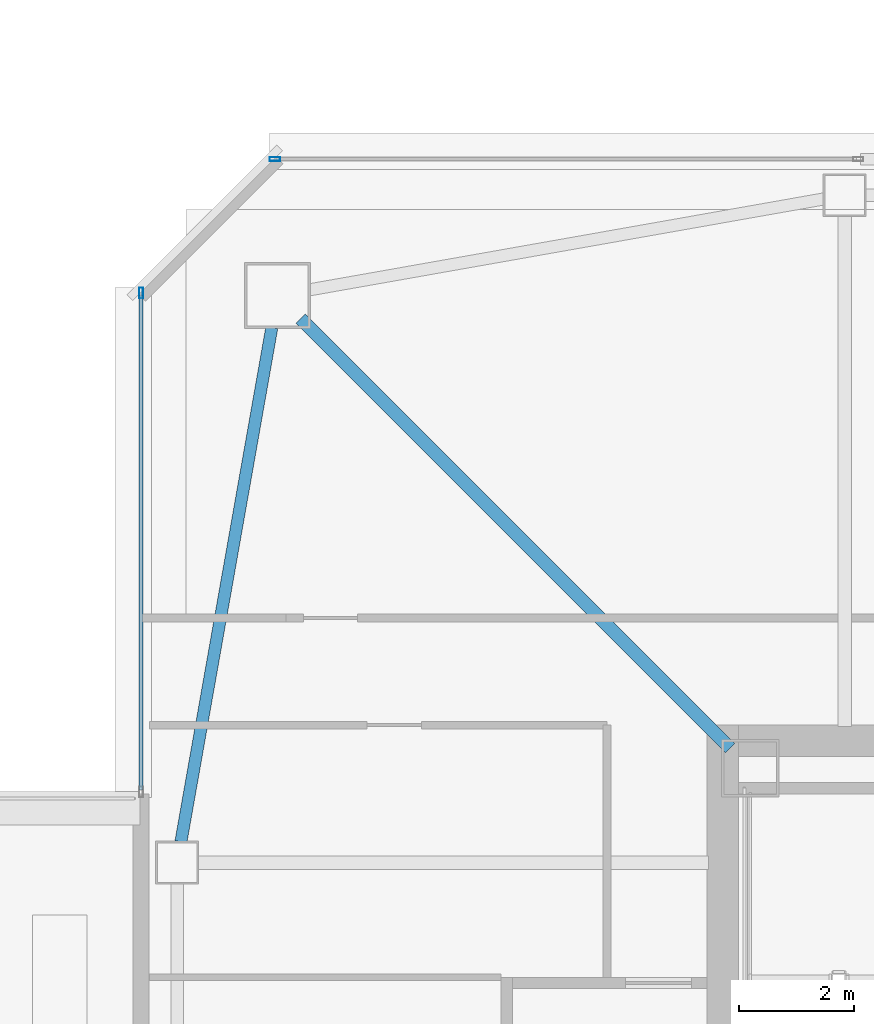
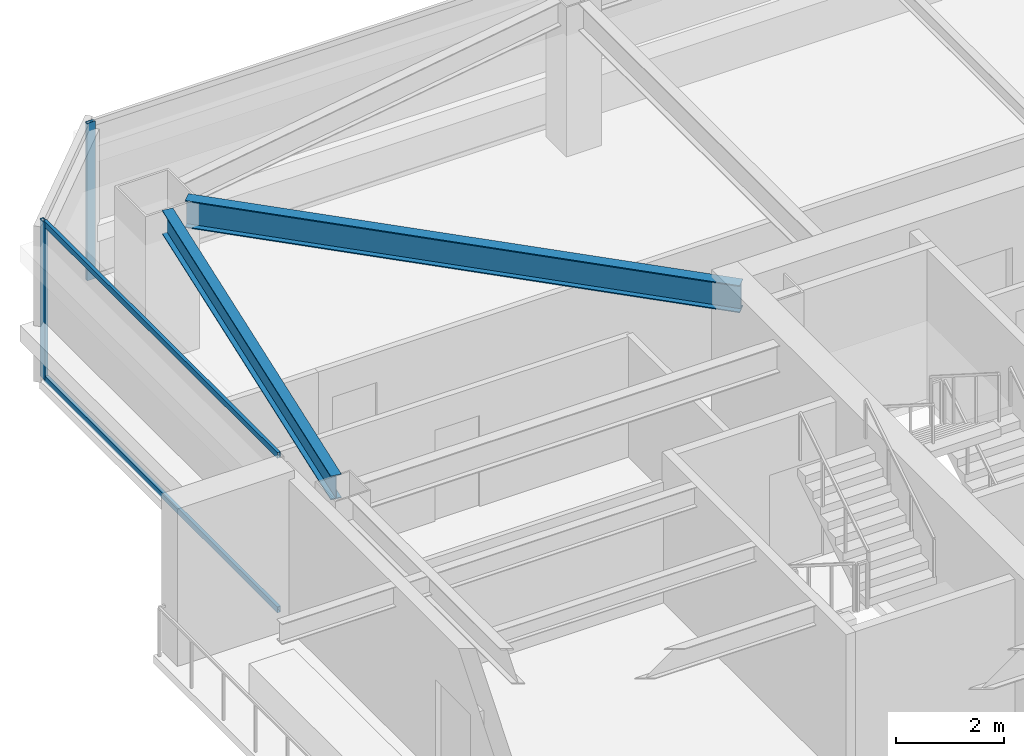
# One storey, part 11 of 41: 4 members, 2 beams, 2 elements without a shape of their own.
"""IFC4 building model written with IfcOpenShell, lengths in metres."""

import ifcopenshell
import ifcopenshell.guid

model = None  # the IFC model being written
_history = None  # IfcOwnerHistory: only IFC2X3 demands one
_inside = {}  # id of a spatial element -> (the spatial element, [elements in it])
_under = {}  # id of a project, library or spatial element -> (it, [spatial elements below it])
_declared = {}  # id of a project -> (the project, [libraries it declares])
_typed = {}  # id of a type object -> (the type object, [elements of that type])
_made_of = {}  # id of a material, layer set ... -> (it, [elements and type objects made of it])


def new_model(schema):
    """Start an empty IFC model of exactly this schema.

    Asked for "IFC4X3", IfcOpenShell would pick the latest addendum, in which some entities
    have other attributes; the version numbers below select the first issue.
    IFC2X3 requires an IfcOwnerHistory on every rooted entity: one is made here for all.
    """
    global model, _history
    if schema == "IFC4X3":
        model = ifcopenshell.file(schema_version=(4, 3, 0, 0))
    else:
        model = ifcopenshell.file(schema=schema)
    _inside.clear()
    _under.clear()
    _declared.clear()
    _typed.clear()
    _made_of.clear()
    _history = None
    if model.schema == "IFC2X3":
        org = make("IfcOrganization", Name="unknown")
        user = make(
            "IfcPersonAndOrganization",
            ThePerson=make("IfcPerson", FamilyName="unknown"),
            TheOrganization=org,
        )
        app = make(
            "IfcApplication",
            ApplicationDeveloper=org,
            Version="unknown",
            ApplicationFullName="unknown",
            ApplicationIdentifier="unknown",
        )
        _history = make(
            "IfcOwnerHistory",
            OwningUser=user,
            OwningApplication=app,
            ChangeAction="ADDED",
            CreationDate=0,
        )
    return model


def make(cls, **values):
    """One entity of the class cls with the attributes given. An attribute that is None is left unset."""
    return model.create_entity(
        cls, **{name: value for name, value in values.items() if value is not None}
    )


def rooted(cls, **values):
    """An entity with a GlobalId (a new one), such as an element, a storey or a relation."""
    return make(cls, GlobalId=ifcopenshell.guid.new(), OwnerHistory=_history, **values)


def si_unit(unit_type, name, prefix=None):
    """IfcSIUnit, for example si_unit("LENGTHUNIT", "METRE", prefix="MILLI")."""
    return make("IfcSIUnit", UnitType=unit_type, Prefix=prefix, Name=name)


def assignment(units):
    """IfcUnitAssignment: the units of a project."""
    return None if units is None else make("IfcUnitAssignment", Units=units)


def point(xyz):
    """IfcCartesianPoint."""
    return None if xyz is None else make("IfcCartesianPoint", Coordinates=xyz)


def direction(xyz):
    """IfcDirection."""
    return None if xyz is None else make("IfcDirection", DirectionRatios=xyz)


def frame(location, z_axis=None, x_axis=None):
    """IfcAxis2Placement3D, a coordinate frame: its origin and axes. An axis left out is left unset."""
    return make(
        "IfcAxis2Placement3D",
        Location=point(location),
        Axis=direction(z_axis),
        RefDirection=direction(x_axis),
    )


def frame_2d(location, x_axis=None):
    """IfcAxis2Placement2D, a coordinate frame in the plane: its origin and x axis."""
    return make(
        "IfcAxis2Placement2D", Location=point(location), RefDirection=direction(x_axis)
    )


def origin():
    """The frame at (0, 0, 0) with its axes left unset."""
    return frame((0.0, 0.0, 0.0))


def origin_2d():
    """The frame at (0, 0) in the plane with its x axis left unset."""
    return frame_2d((0.0, 0.0))


def place(relative_to, where):
    """IfcLocalPlacement: puts the frame where relative to a parent placement (None: the world)."""
    return make(
        "IfcLocalPlacement", PlacementRelTo=relative_to, RelativePlacement=where
    )


def context(
    kind, dimensions, precision=None, world=None, true_north=None, identifier=None
):
    """IfcGeometricRepresentationContext, for example the 3D "Model" context."""
    return make(
        "IfcGeometricRepresentationContext",
        ContextIdentifier=identifier,
        ContextType=kind,
        CoordinateSpaceDimension=dimensions,
        Precision=precision,
        WorldCoordinateSystem=world,
        TrueNorth=true_north,
    )


def subcontext(parent, identifier, kind, view, scale=None):
    """IfcGeometricRepresentationSubContext, for example "Body" below "Model"."""
    return make(
        "IfcGeometricRepresentationSubContext",
        ContextIdentifier=identifier,
        ContextType=kind,
        ParentContext=parent,
        TargetScale=scale,
        TargetView=view,
    )


def project(units=None, contexts=None):
    """IfcProject with its units and contexts."""
    return rooted(
        "IfcProject",
        Name="project",
        RepresentationContexts=contexts,
        UnitsInContext=assignment(units),
    )


def spatial(cls, under=None, at=None, **own):
    """A site, building, storey or space (cls), placed at a placement, below another one or the project."""
    s = rooted(cls, ObjectPlacement=at, **own)
    if under is not None:
        _under.setdefault(under.id(), (under, []))[1].append(s)
    return s


def profile(cls, at=None, kind="AREA", **sizes):
    """A parametric profile (cls). Its sizes go by their IFC names, for example OverallWidth=200.0."""
    return make(cls, ProfileType=kind, Position=at, **sizes)


def hollow_rectangle(**sizes):
    """IfcRectangleHollowProfileDef."""
    return profile("IfcRectangleHollowProfileDef", **sizes)


def i_section(**sizes):
    """IfcIShapeProfileDef."""
    return profile("IfcIShapeProfileDef", **sizes)


def extrude(swept, where, along, depth):
    """IfcExtrudedAreaSolid: the profile swept, set in the frame where, extruded along a direction by depth."""
    return make(
        "IfcExtrudedAreaSolid",
        SweptArea=swept,
        Position=where,
        ExtrudedDirection=direction(along),
        Depth=depth,
    )


def shape(context_of_items, identifier, shape_type, items):
    """IfcShapeRepresentation: the items that make up one representation, for example the "Body"."""
    return make(
        "IfcShapeRepresentation",
        ContextOfItems=context_of_items,
        RepresentationIdentifier=identifier,
        RepresentationType=shape_type,
        Items=items,
    )


def material(Name=None, Category=None):
    """IfcMaterial."""
    return make("IfcMaterial", Name=Name, Category=Category)


def material_profile(
    of_material, cross_section, Name=None, Category=None, Priority=None
):
    """IfcMaterialProfile: a cross section and its material."""
    return make(
        "IfcMaterialProfile",
        Name=Name,
        Material=of_material,
        Profile=cross_section,
        Priority=Priority,
        Category=Category,
    )


def profile_set(profiles, Name=None, composite=None):
    """IfcMaterialProfileSet."""
    return make(
        "IfcMaterialProfileSet",
        Name=Name,
        MaterialProfiles=profiles,
        CompositeProfile=composite,
    )


def made_of(thing, what):
    """Note that an element or type object is made of a material, layer set ...; save() writes the relation."""
    if what is not None:
        _made_of.setdefault(what.id(), (what, []))[1].append(thing)
    return thing


def type_object(cls, material=None, **own):
    """A type object (cls), such as IfcWallType, which elements share."""
    return made_of(rooted(cls, **own), material)


def element(
    cls,
    number,
    at=None,
    inside=None,
    cuts=None,
    type_object=None,
    material=None,
    context=None,
    identifier="Body",
    shape_type=None,
    held_by="IfcProductDefinitionShape",
    body=None,
    shapes=None,
    **own,
):
    """One element of the class cls, such as IfcWall. Its Tag is "e" and its number.

    at: its placement. inside: the storey or other place that contains it. cuts: it is an
    opening in that element (IfcRelVoidsElement). A single representation is given by context,
    identifier, shape_type and body (its items); several are given by shapes. held_by: the class
    of the entity that holds the representations. save() writes the other relations.
    """
    e = rooted(cls, Tag="e%d" % number, ObjectPlacement=at, **own)
    if body is not None:
        shapes = [shape(context, identifier, shape_type, body)]
    if shapes is not None:
        e.Representation = make(held_by, Representations=shapes)
    if inside is not None:
        _inside.setdefault(inside.id(), (inside, []))[1].append(e)
    if cuts is not None:
        rooted(
            "IfcRelVoidsElement", RelatingBuildingElement=cuts, RelatedOpeningElement=e
        )
    if type_object is not None:
        _typed.setdefault(type_object.id(), (type_object, []))[1].append(e)
    return made_of(e, material)


def aggregate(whole, parts):
    """IfcRelAggregates: a whole, such as a stair, and the parts it consists of."""
    return rooted("IfcRelAggregates", RelatingObject=whole, RelatedObjects=parts)


def save(model, path):
    """Write the relations noted so far, then the file.

    IfcRelAggregates (storeys below a building ...), IfcRelContainedInSpatialStructure (elements
    in a storey), IfcRelDefinesByType, IfcRelAssociatesMaterial and IfcRelDeclares: one each for
    every whole, place, type object, material and project.
    """
    for whole, parts in _under.values():
        aggregate(whole, parts)
    for where, things in _inside.values():
        rooted(
            "IfcRelContainedInSpatialStructure",
            RelatedElements=things,
            RelatingStructure=where,
        )
    for kind, things in _typed.values():
        rooted("IfcRelDefinesByType", RelatedObjects=things, RelatingType=kind)
    for what, things in _made_of.values():
        rooted("IfcRelAssociatesMaterial", RelatedObjects=things, RelatingMaterial=what)
    for by, libraries in _declared.values():
        rooted("IfcRelDeclares", RelatingContext=by, RelatedDefinitions=libraries)
    model.write(path)


model = new_model("IFC4")

# Units and contexts
model_context = context("Model", 3, precision=1e-05, world=origin(), true_north=direction((0.0, 1.0)))
body_context = subcontext(model_context, "Body", "Model", "MODEL_VIEW")
ifc_project = project(units=[si_unit("LENGTHUNIT", "METRE"), si_unit("AREAUNIT", "SQUARE_METRE"), si_unit("VOLUMEUNIT", "CUBIC_METRE"), si_unit("PLANEANGLEUNIT", "RADIAN"), si_unit("MASSUNIT", "GRAM", prefix="KILO")], contexts=[model_context])

# Site, building, storey
site_placement = place(None, origin())
site = spatial("IfcSite", under=ifc_project, at=site_placement, CompositionType="ELEMENT")
building_placement = place(site_placement, origin())
building = spatial("IfcBuilding", under=site, at=building_placement, Name="Tashvorn Skyway Center", CompositionType="ELEMENT")
storey_placement = place(building_placement, frame((0.0, 0.0, 192.5)))
storey = spatial("IfcBuildingStorey", under=building, at=storey_placement, Name="L52", CompositionType="ELEMENT", Elevation=192.5)

# Beams
ifc_material_1 = material(Name="Steel ASTM A992 Grade 50", Category="steel")
ifc_material_profile_1 = material_profile(ifc_material_1, i_section(OverallWidth=0.22998046875, OverallDepth=0.616943359375, WebThickness=0.01318359375, FlangeThickness=0.022216796875, at=origin_2d()), Name="W24X94")
ifc_profile_set_1 = profile_set([ifc_material_profile_1], Name="Steel ASTM A992 Grade 50")
beam_type_1 = type_object("IfcBeamType", Name="BM-BEAM-W24X94", PredefinedType="BEAM", material=ifc_profile_set_1)
beam_1_placement = place(storey_placement, frame((27.10302734375, 46.89697265625, 3.0615234375), z_axis=(0.707106781187, -0.707106781187, 0.0), x_axis=(0.707106781187, 0.707106781187, 0.0)))
element("IfcBeam", 1, at=beam_1_placement, inside=storey, type_object=beam_type_1, Name="Tower 1 L52 Primary Floor Girder MC-NW", PredefinedType="BEAM", context=body_context, shape_type="SweptSolid", body=[
    extrude(i_section(OverallWidth=0.22998046875, OverallDepth=0.616943359375, WebThickness=0.01318359375, FlangeThickness=0.022216796875, at=origin_2d()), origin(), (0.0, 0.0, 1.0), 10.6025390625),
])
ifc_material_profile_2 = material_profile(ifc_material_1, i_section(OverallWidth=0.2109375, OverallDepth=0.5390625, WebThickness=0.01171875, FlangeThickness=0.018798828125, at=origin_2d()), Name="W21X73")
ifc_profile_set_2 = profile_set([ifc_material_profile_2], Name="Steel ASTM A992 Grade 50")
beam_type_2 = type_object("IfcBeamType", Name="BM-SPANDREL-W21X73", PredefinedType="SPANDREL", material=ifc_profile_set_2)
beam_2_placement = place(storey_placement, frame((26.600830078125, 46.73876953125, 3.1005859375), z_axis=(-0.174074160933, -0.984732545667, 0.0), x_axis=(0.984732545667, -0.174074160933, 0.0)))
element("IfcBeam", 2, at=beam_2_placement, inside=storey, type_object=beam_type_2, Name="Tower 1 L52 Spandrel Beam 10", PredefinedType="SPANDREL", context=body_context, shape_type="SweptSolid", body=[
    extrude(i_section(OverallWidth=0.2109375, OverallDepth=0.5390625, WebThickness=0.01171875, FlangeThickness=0.018798828125, at=origin_2d()), origin(), (0.0, 0.0, 1.0), 9.113525390625),
])

# Curtain wall, member
ifc_material_2 = material(Name="Thermally broken bronze-anodized aluminium 6063-T6", Category="aluminium")
curtain_wall_type = type_object("IfcCurtainWallType", Name="CW-CW-Z4", PredefinedType="NOTDEFINED", material=ifc_material_2)
curtain_wall_1_placement = place(storey_placement, origin())
curtain_wall_1 = element("IfcCurtainWall", 3, at=curtain_wall_1_placement, inside=storey, type_object=curtain_wall_type, Name="Tower 1 L52 West Curtain Wall R", PredefinedType="NOTDEFINED")
ifc_material_profile_3 = material_profile(ifc_material_2, hollow_rectangle(XDim=0.070068359375, YDim=0.179931640625, WallThickness=0.00390625, at=origin_2d()), Name="ALU-MULL-70x180")
ifc_profile_set_3 = profile_set([ifc_material_profile_3], Name="Thermally broken bronze-anodized aluminium 6063-T6")
member_type_1 = type_object("IfcMemberType", Name="CWM-CW-Z4", PredefinedType="MULLION", material=ifc_profile_set_3)
member_1_placement = place(storey_placement, frame((24.320068359375, 47.344970703125, 0.0), z_axis=(0.0, 0.0, 1.0), x_axis=(-1.0, 0.0, 0.0)))
member_1 = element("IfcMember", 4, at=member_1_placement, type_object=member_type_1, Name="CW-Z4 mullion 2", PredefinedType="MULLION", context=body_context, shape_type="SweptSolid", body=[
    extrude(hollow_rectangle(XDim=0.070068359375, YDim=0.179931640625, WallThickness=0.00390625, at=origin_2d()), origin(), (0.0, 0.0, 1.0), 3.550048828125),
])

curtain_wall_2_placement = place(storey_placement, origin())
curtain_wall_2 = element("IfcCurtainWall", 5, at=curtain_wall_2_placement, inside=storey, type_object=curtain_wall_type, Name="Tower 1 L52 North Unitised Curtain Wall Glazing Group 1", PredefinedType="NOTDEFINED")
member_2_placement = place(storey_placement, frame((26.655029296875, 49.679931640625, 0.0), z_axis=(0.0, 0.0, 1.0), x_axis=(0.0, 1.0, 0.0)))
member_2 = element("IfcMember", 6, at=member_2_placement, type_object=member_type_1, Name="CW-Z4 mullion 1", PredefinedType="MULLION", context=body_context, shape_type="SweptSolid", body=[
    extrude(hollow_rectangle(XDim=0.070068359375, YDim=0.179931640625, WallThickness=0.00390625, at=origin_2d()), origin(), (0.0, 0.0, 1.0), 3.550048828125),
])
aggregate(curtain_wall_2, [member_2])

# Member
ifc_material_profile_4 = material_profile(ifc_material_2, hollow_rectangle(XDim=0.070068359375, YDim=0.1298828125, WallThickness=0.00390625, at=origin_2d()), Name="ALU-TRAN-70x130")
ifc_profile_set_4 = profile_set([ifc_material_profile_4], Name="Thermally broken bronze-anodized aluminium 6063-T6")
member_type_2 = type_object("IfcMemberType", Name="CWT-CW-Z4", PredefinedType="USERDEFINED", material=ifc_profile_set_4)
member_3_placement = place(storey_placement, frame((24.320068359375, 38.669921875, 0.034912109375), z_axis=(0.0, 1.0, 0.0), x_axis=(-1.0, 0.0, 0.0)))
member_3 = element("IfcMember", 7, at=member_3_placement, type_object=member_type_2, Name="CW-Z4 transom 1.1", ObjectType="TRANSOM", PredefinedType="USERDEFINED", context=body_context, shape_type="SweptSolid", body=[
    extrude(hollow_rectangle(XDim=0.070068359375, YDim=0.1298828125, WallThickness=0.00390625, at=origin_2d()), origin(), (0.0, 0.0, 1.0), 8.64013671875),
])

member_4_placement = place(storey_placement, frame((24.320068359375, 38.669921875, 3.514892578125), z_axis=(0.0, 1.0, 0.0), x_axis=(-1.0, 0.0, 0.0)))
member_4 = element("IfcMember", 8, at=member_4_placement, type_object=member_type_2, Name="CW-Z4 transom 1.2", ObjectType="TRANSOM", PredefinedType="USERDEFINED", context=body_context, shape_type="SweptSolid", body=[
    extrude(hollow_rectangle(XDim=0.070068359375, YDim=0.1298828125, WallThickness=0.00390625, at=origin_2d()), origin(), (0.0, 0.0, 1.0), 8.64013671875),
])

aggregate(curtain_wall_1, [member_1, member_3, member_4])

save(model, "model.ifc")
